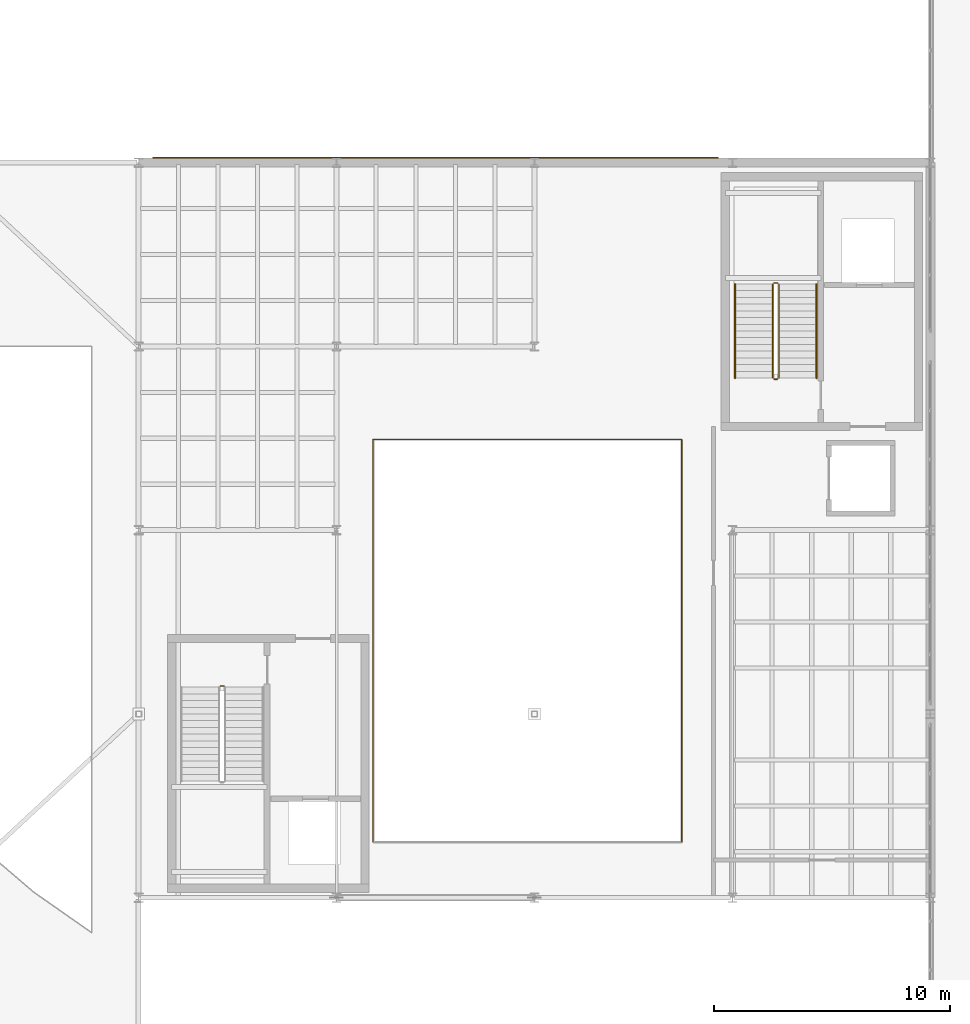
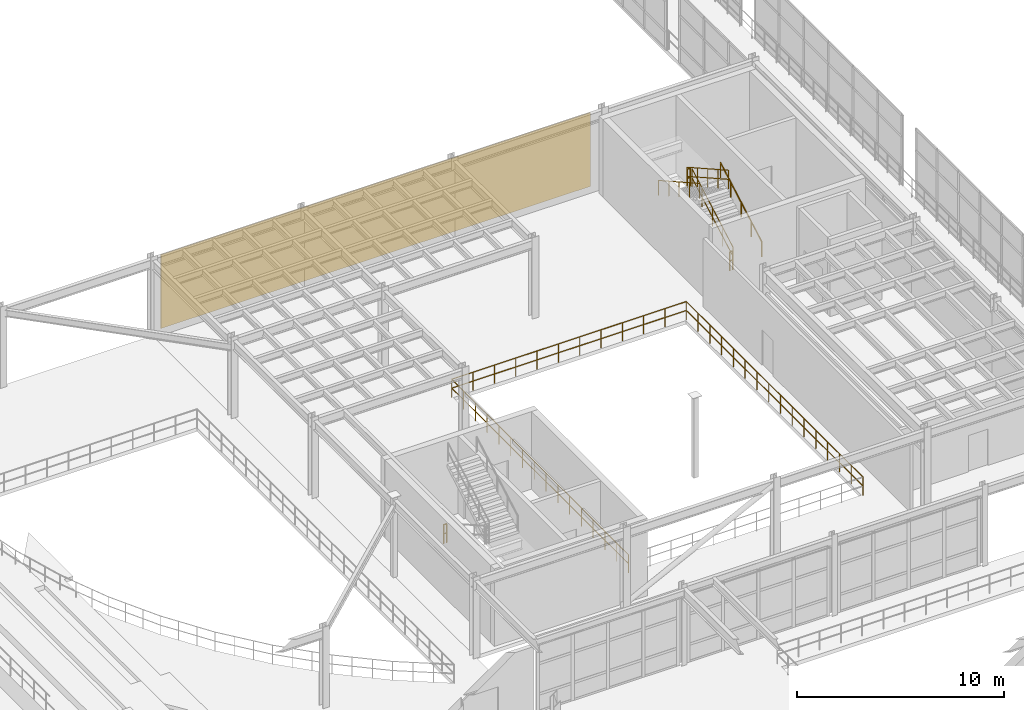
# One storey, part 111 of 116: 10 railings, 1 covering.
"""IFC4 building model written with IfcOpenShell, lengths in metres."""

import ifcopenshell
import ifcopenshell.guid

model = None  # the IFC model being written
_history = None  # IfcOwnerHistory: only IFC2X3 demands one
_inside = {}  # id of a spatial element -> (the spatial element, [elements in it])
_under = {}  # id of a project, library or spatial element -> (it, [spatial elements below it])
_declared = {}  # id of a project -> (the project, [libraries it declares])
_typed = {}  # id of a type object -> (the type object, [elements of that type])
_made_of = {}  # id of a material, layer set ... -> (it, [elements and type objects made of it])


def new_model(schema):
    """Start an empty IFC model of exactly this schema.

    Asked for "IFC4X3", IfcOpenShell would pick the latest addendum, in which some entities
    have other attributes; the version numbers below select the first issue.
    IFC2X3 requires an IfcOwnerHistory on every rooted entity: one is made here for all.
    """
    global model, _history
    if schema == "IFC4X3":
        model = ifcopenshell.file(schema_version=(4, 3, 0, 0))
    else:
        model = ifcopenshell.file(schema=schema)
    _inside.clear()
    _under.clear()
    _declared.clear()
    _typed.clear()
    _made_of.clear()
    _history = None
    if model.schema == "IFC2X3":
        org = make("IfcOrganization", Name="unknown")
        user = make(
            "IfcPersonAndOrganization",
            ThePerson=make("IfcPerson", FamilyName="unknown"),
            TheOrganization=org,
        )
        app = make(
            "IfcApplication",
            ApplicationDeveloper=org,
            Version="unknown",
            ApplicationFullName="unknown",
            ApplicationIdentifier="unknown",
        )
        _history = make(
            "IfcOwnerHistory",
            OwningUser=user,
            OwningApplication=app,
            ChangeAction="ADDED",
            CreationDate=0,
        )
    return model


def make(cls, **values):
    """One entity of the class cls with the attributes given. An attribute that is None is left unset."""
    return model.create_entity(
        cls, **{name: value for name, value in values.items() if value is not None}
    )


def rooted(cls, **values):
    """An entity with a GlobalId (a new one), such as an element, a storey or a relation."""
    return make(cls, GlobalId=ifcopenshell.guid.new(), OwnerHistory=_history, **values)


def si_unit(unit_type, name, prefix=None):
    """IfcSIUnit, for example si_unit("LENGTHUNIT", "METRE", prefix="MILLI")."""
    return make("IfcSIUnit", UnitType=unit_type, Prefix=prefix, Name=name)


def assignment(units):
    """IfcUnitAssignment: the units of a project."""
    return None if units is None else make("IfcUnitAssignment", Units=units)


def point(xyz):
    """IfcCartesianPoint."""
    return None if xyz is None else make("IfcCartesianPoint", Coordinates=xyz)


def direction(xyz):
    """IfcDirection."""
    return None if xyz is None else make("IfcDirection", DirectionRatios=xyz)


def frame(location, z_axis=None, x_axis=None):
    """IfcAxis2Placement3D, a coordinate frame: its origin and axes. An axis left out is left unset."""
    return make(
        "IfcAxis2Placement3D",
        Location=point(location),
        Axis=direction(z_axis),
        RefDirection=direction(x_axis),
    )


def frame_2d(location, x_axis=None):
    """IfcAxis2Placement2D, a coordinate frame in the plane: its origin and x axis."""
    return make(
        "IfcAxis2Placement2D", Location=point(location), RefDirection=direction(x_axis)
    )


def origin():
    """The frame at (0, 0, 0) with its axes left unset."""
    return frame((0.0, 0.0, 0.0))


def origin_2d():
    """The frame at (0, 0) in the plane with its x axis left unset."""
    return frame_2d((0.0, 0.0))


def place(relative_to, where):
    """IfcLocalPlacement: puts the frame where relative to a parent placement (None: the world)."""
    return make(
        "IfcLocalPlacement", PlacementRelTo=relative_to, RelativePlacement=where
    )


def context(
    kind, dimensions, precision=None, world=None, true_north=None, identifier=None
):
    """IfcGeometricRepresentationContext, for example the 3D "Model" context."""
    return make(
        "IfcGeometricRepresentationContext",
        ContextIdentifier=identifier,
        ContextType=kind,
        CoordinateSpaceDimension=dimensions,
        Precision=precision,
        WorldCoordinateSystem=world,
        TrueNorth=true_north,
    )


def subcontext(parent, identifier, kind, view, scale=None):
    """IfcGeometricRepresentationSubContext, for example "Body" below "Model"."""
    return make(
        "IfcGeometricRepresentationSubContext",
        ContextIdentifier=identifier,
        ContextType=kind,
        ParentContext=parent,
        TargetScale=scale,
        TargetView=view,
    )


def project(units=None, contexts=None):
    """IfcProject with its units and contexts."""
    return rooted(
        "IfcProject",
        Name="project",
        RepresentationContexts=contexts,
        UnitsInContext=assignment(units),
    )


def spatial(cls, under=None, at=None, **own):
    """A site, building, storey or space (cls), placed at a placement, below another one or the project."""
    s = rooted(cls, ObjectPlacement=at, **own)
    if under is not None:
        _under.setdefault(under.id(), (under, []))[1].append(s)
    return s


def polyline(points):
    """IfcPolyline through the points."""
    return make("IfcPolyline", Points=[point(p) for p in points])


def profile(cls, at=None, kind="AREA", **sizes):
    """A parametric profile (cls). Its sizes go by their IFC names, for example OverallWidth=200.0."""
    return make(cls, ProfileType=kind, Position=at, **sizes)


def circle(**sizes):
    """IfcCircleProfileDef."""
    return profile("IfcCircleProfileDef", **sizes)


def outline(outer, holes=None, kind="AREA"):
    """IfcArbitraryClosedProfileDef: a profile drawn as a closed curve; with holes, ...WithVoids."""
    if holes is None:
        return make("IfcArbitraryClosedProfileDef", ProfileType=kind, OuterCurve=outer)
    return make(
        "IfcArbitraryProfileDefWithVoids",
        ProfileType=kind,
        OuterCurve=outer,
        InnerCurves=holes,
    )


def extrude(swept, where, along, depth):
    """IfcExtrudedAreaSolid: the profile swept, set in the frame where, extruded along a direction by depth."""
    return make(
        "IfcExtrudedAreaSolid",
        SweptArea=swept,
        Position=where,
        ExtrudedDirection=direction(along),
        Depth=depth,
    )


def shape(context_of_items, identifier, shape_type, items):
    """IfcShapeRepresentation: the items that make up one representation, for example the "Body"."""
    return make(
        "IfcShapeRepresentation",
        ContextOfItems=context_of_items,
        RepresentationIdentifier=identifier,
        RepresentationType=shape_type,
        Items=items,
    )


def material(Name=None, Category=None):
    """IfcMaterial."""
    return make("IfcMaterial", Name=Name, Category=Category)


def layer(
    of_material, thickness, ventilated=None, Name=None, Category=None, Priority=None
):
    """IfcMaterialLayer: one layer of a wall or slab, of a material (None: an air gap)."""
    return make(
        "IfcMaterialLayer",
        Material=of_material,
        LayerThickness=thickness,
        IsVentilated=ventilated,
        Name=Name,
        Category=Category,
        Priority=Priority,
    )


def layer_set(layers, Name=None):
    """IfcMaterialLayerSet."""
    return make("IfcMaterialLayerSet", MaterialLayers=layers, LayerSetName=Name)


def made_of(thing, what):
    """Note that an element or type object is made of a material, layer set ...; save() writes the relation."""
    if what is not None:
        _made_of.setdefault(what.id(), (what, []))[1].append(thing)
    return thing


def type_object(cls, material=None, **own):
    """A type object (cls), such as IfcWallType, which elements share."""
    return made_of(rooted(cls, **own), material)


def element(
    cls,
    number,
    at=None,
    inside=None,
    cuts=None,
    type_object=None,
    material=None,
    context=None,
    identifier="Body",
    shape_type=None,
    held_by="IfcProductDefinitionShape",
    body=None,
    shapes=None,
    **own,
):
    """One element of the class cls, such as IfcWall. Its Tag is "e" and its number.

    at: its placement. inside: the storey or other place that contains it. cuts: it is an
    opening in that element (IfcRelVoidsElement). A single representation is given by context,
    identifier, shape_type and body (its items); several are given by shapes. held_by: the class
    of the entity that holds the representations. save() writes the other relations.
    """
    e = rooted(cls, Tag="e%d" % number, ObjectPlacement=at, **own)
    if body is not None:
        shapes = [shape(context, identifier, shape_type, body)]
    if shapes is not None:
        e.Representation = make(held_by, Representations=shapes)
    if inside is not None:
        _inside.setdefault(inside.id(), (inside, []))[1].append(e)
    if cuts is not None:
        rooted(
            "IfcRelVoidsElement", RelatingBuildingElement=cuts, RelatedOpeningElement=e
        )
    if type_object is not None:
        _typed.setdefault(type_object.id(), (type_object, []))[1].append(e)
    return made_of(e, material)


def aggregate(whole, parts):
    """IfcRelAggregates: a whole, such as a stair, and the parts it consists of."""
    return rooted("IfcRelAggregates", RelatingObject=whole, RelatedObjects=parts)


def save(model, path):
    """Write the relations noted so far, then the file.

    IfcRelAggregates (storeys below a building ...), IfcRelContainedInSpatialStructure (elements
    in a storey), IfcRelDefinesByType, IfcRelAssociatesMaterial and IfcRelDeclares: one each for
    every whole, place, type object, material and project.
    """
    for whole, parts in _under.values():
        aggregate(whole, parts)
    for where, things in _inside.values():
        rooted(
            "IfcRelContainedInSpatialStructure",
            RelatedElements=things,
            RelatingStructure=where,
        )
    for kind, things in _typed.values():
        rooted("IfcRelDefinesByType", RelatedObjects=things, RelatingType=kind)
    for what, things in _made_of.values():
        rooted("IfcRelAssociatesMaterial", RelatedObjects=things, RelatingMaterial=what)
    for by, libraries in _declared.values():
        rooted("IfcRelDeclares", RelatingContext=by, RelatedDefinitions=libraries)
    model.write(path)


model = new_model("IFC4")

# Units and contexts
model_context = context("Model", 3, precision=1e-05, world=origin(), true_north=direction((0.0, 1.0)))
body_context = subcontext(model_context, "Body", "Model", "MODEL_VIEW")
ifc_project = project(units=[si_unit("LENGTHUNIT", "METRE"), si_unit("AREAUNIT", "SQUARE_METRE"), si_unit("VOLUMEUNIT", "CUBIC_METRE"), si_unit("PLANEANGLEUNIT", "RADIAN"), si_unit("MASSUNIT", "GRAM", prefix="KILO")], contexts=[model_context])

# Site, building, storey
site_placement = place(None, origin())
site = spatial("IfcSite", under=ifc_project, at=site_placement, CompositionType="ELEMENT")
building_placement = place(site_placement, origin())
building = spatial("IfcBuilding", under=site, at=building_placement, Name="Selat Folded Stagehouse", CompositionType="ELEMENT")
storey_placement = place(building_placement, frame((0.0, 0.0, 5.39990234375)))
storey = spatial("IfcBuildingStorey", under=building, at=storey_placement, Name="L01", CompositionType="ELEMENT", Elevation=5.39990234375)

# Covering
ifc_material_1 = material(Name="Perforated bronze-anodised aluminium rainscreen", Category="aluminium")
ifc_layer_1 = layer(ifc_material_1, 0.044921875)
ifc_layer_set_1 = layer_set([ifc_layer_1], Name="Perforated bronze-anodised aluminium rainscreen")
covering_type = type_object("IfcCoveringType", Name="COV-CLAD-45A", PredefinedType="CLADDING", material=ifc_layer_set_1)
covering_placement = place(storey_placement, frame((0.0, 0.0, 0.10009765625)))
element("IfcCovering", 1, at=covering_placement, inside=storey, type_object=covering_type, Name="L01 fly-tower bronze rainscreen cladding 01", PredefinedType="CLADDING", context=body_context, shape_type="SweptSolid", body=[
    extrude(outline(polyline([(34.199951171875, 54.7900390625), (58.199951171875, 54.7900390625), (58.199951171875, 54.8349609375), (34.199951171875, 54.8349609375), (34.199951171875, 54.7900390625)])), origin(), (0.0, 0.0, 1.0), 4.35009765625),
])

# Railings
ifc_material_2 = material(Name="Bronze-anodised steel balustrade", Category="steel")
ifc_layer_2 = layer(ifc_material_2, 0.06494140625)
ifc_layer_set_2 = layer_set([ifc_layer_2], Name="Bronze-anodised steel balustrade")
railing_type_1 = type_object("IfcRailingType", Name="RLG-BAL-1120", PredefinedType="BALUSTRADE", material=ifc_layer_set_2)
railing_1_placement = place(storey_placement, frame((37.06005859375, 32.389892578125, 0.0)))
element("IfcRailing", 2, at=railing_1_placement, inside=storey, type_object=railing_type_1, Name="L01 ST-01 stair well guard 4", PredefinedType="BALUSTRADE", context=body_context, shape_type="SweptSolid", body=[
    extrude(circle(Radius=0.02392578125, at=origin_2d()), frame((0.0, 0.0, 1.09619140625), z_axis=(1.0, 0.0, 0.0), x_axis=(0.0, 1.0, 0.0)), (0.0, 0.0, 1.0), 0.159912109375),
    extrude(circle(Radius=0.02392578125, at=origin_2d()), frame((0.0, 0.0, 0.56005859375), z_axis=(1.0, 0.0, 0.0), x_axis=(0.0, 1.0, 0.0)), (0.0, 0.0, 1.0), 0.159912109375),
    extrude(circle(Radius=0.02099609375, at=origin_2d()), origin(), (0.0, 0.0, 1.0), 1.072021484375),
    extrude(circle(Radius=0.02099609375, at=origin_2d()), frame((0.159912109375, 0.0, 0.0)), (0.0, 0.0, 1.0), 1.072021484375),
])
railing_2_placement = place(storey_placement, frame((60.77001953125, 45.4599609375, 0.16015625)))
element("IfcRailing", 3, at=railing_2_placement, inside=storey, type_object=railing_type_1, Name="L01 ST-02 stair well guard 1", PredefinedType="BALUSTRADE", context=body_context, shape_type="SweptSolid", body=[
    extrude(circle(Radius=0.02392578125, at=origin_2d()), frame((0.0, 0.0, 1.09619140625), z_axis=(0.0, 0.871984184956, 0.489534044972), x_axis=(-1.0, 0.0, 0.0)), (0.0, 0.0, 1.0), 4.57568359375),
    extrude(circle(Radius=0.02392578125, at=origin_2d()), frame((0.0, 0.0, 0.56005859375), z_axis=(0.0, 0.871984184956, 0.489534044972), x_axis=(-1.0, 0.0, 0.0)), (0.0, 0.0, 1.0), 4.57568359375),
    extrude(circle(Radius=0.02099609375, at=origin_2d()), origin(), (0.0, 0.0, 1.0), 1.072021484375),
    extrude(circle(Radius=0.02099609375, at=origin_2d()), frame((0.0, 0.99755859375, 0.56005859375)), (0.0, 0.0, 1.0), 1.072021484375),
    extrude(circle(Radius=0.02099609375, at=origin_2d()), frame((0.0, 1.9951171875, 1.1201171875)), (0.0, 0.0, 1.0), 1.072021484375),
    extrude(circle(Radius=0.02099609375, at=origin_2d()), frame((0.0, 2.992431640625, 1.679931640625)), (0.0, 0.0, 1.0), 1.072021484375),
    extrude(circle(Radius=0.02099609375, at=origin_2d()), frame((0.0, 3.989990234375, 2.239990234375)), (0.0, 0.0, 1.0), 1.072021484375),
])
railing_3_placement = place(storey_placement, frame((60.719970703125, 49.5, 2.400146484375)))
element("IfcRailing", 4, at=railing_3_placement, inside=storey, type_object=railing_type_1, Name="L01 ST-02 stair well guard 2", PredefinedType="BALUSTRADE", context=body_context, shape_type="SweptSolid", body=[
    extrude(circle(Radius=0.02392578125, at=origin_2d()), frame((0.0, 0.0, 1.09619140625), z_axis=(-1.0, 0.0, 0.0), x_axis=(0.0, -1.0, 0.0)), (0.0, 0.0, 1.0), 0.159912109375),
    extrude(circle(Radius=0.02392578125, at=origin_2d()), frame((0.0, 0.0, 0.56005859375), z_axis=(-1.0, 0.0, 0.0), x_axis=(0.0, -1.0, 0.0)), (0.0, 0.0, 1.0), 0.159912109375),
    extrude(circle(Radius=0.02099609375, at=origin_2d()), origin(), (0.0, 0.0, 1.0), 1.072021484375),
    extrude(circle(Radius=0.02099609375, at=origin_2d()), frame((-0.159912109375, 0.0, 0.0)), (0.0, 0.0, 1.0), 1.072021484375),
])
railing_4_placement = place(storey_placement, frame((60.510009765625, 49.449951171875, 2.56005859375)))
element("IfcRailing", 5, at=railing_4_placement, inside=storey, type_object=railing_type_1, Name="L01 ST-02 stair well guard 3", PredefinedType="BALUSTRADE", context=body_context, shape_type="SweptSolid", body=[
    extrude(circle(Radius=0.02392578125, at=origin_2d()), frame((0.0, 0.0, 1.09619140625), z_axis=(0.0, -0.871984184956, 0.489534044972), x_axis=(1.0, 0.0, 0.0)), (0.0, 0.0, 1.0), 4.57568359375),
    extrude(circle(Radius=0.02392578125, at=origin_2d()), frame((0.0, 0.0, 0.56005859375), z_axis=(0.0, -0.871984184956, 0.489534044972), x_axis=(1.0, 0.0, 0.0)), (0.0, 0.0, 1.0), 4.57568359375),
    extrude(circle(Radius=0.02099609375, at=origin_2d()), origin(), (0.0, 0.0, 1.0), 1.072021484375),
    extrude(circle(Radius=0.02099609375, at=origin_2d()), frame((0.0, -0.99755859375, 0.56005859375)), (0.0, 0.0, 1.0), 1.072021484375),
    extrude(circle(Radius=0.02099609375, at=origin_2d()), frame((0.0, -1.9951171875, 1.1201171875)), (0.0, 0.0, 1.0), 1.072021484375),
    extrude(circle(Radius=0.02099609375, at=origin_2d()), frame((0.0, -2.992431640625, 1.679931640625)), (0.0, 0.0, 1.0), 1.072021484375),
    extrude(circle(Radius=0.02099609375, at=origin_2d()), frame((0.0, -3.989990234375, 2.239990234375)), (0.0, 0.0, 1.0), 1.072021484375),
])
railing_5_placement = place(storey_placement, frame((60.719970703125, 45.409912109375, 0.0)))
element("IfcRailing", 6, at=railing_5_placement, inside=storey, type_object=railing_type_1, Name="L01 ST-02 stair well guard 4", PredefinedType="BALUSTRADE", context=body_context, shape_type="SweptSolid", body=[
    extrude(circle(Radius=0.02392578125, at=origin_2d()), frame((0.0, 0.0, 1.09619140625), z_axis=(-1.0, 0.0, 0.0), x_axis=(0.0, -1.0, 0.0)), (0.0, 0.0, 1.0), 0.159912109375),
    extrude(circle(Radius=0.02392578125, at=origin_2d()), frame((0.0, 0.0, 0.56005859375), z_axis=(-1.0, 0.0, 0.0), x_axis=(0.0, -1.0, 0.0)), (0.0, 0.0, 1.0), 0.159912109375),
    extrude(circle(Radius=0.02099609375, at=origin_2d()), origin(), (0.0, 0.0, 1.0), 1.072021484375),
    extrude(circle(Radius=0.02099609375, at=origin_2d()), frame((-0.159912109375, 0.0, 0.0)), (0.0, 0.0, 1.0), 1.072021484375),
])
ifc_material_3 = material(Name="Stainless steel and laminated glass", Category="steel")
ifc_layer_3 = layer(ifc_material_3, 0.06005859375)
ifc_layer_set_3 = layer_set([ifc_layer_3], Name="Stainless steel and laminated glass")
railing_type_2 = type_object("IfcRailingType", Name="RLG-GUARD-1100", PredefinedType="GUARDRAIL", material=ifc_layer_set_3)
railing_6_placement = place(storey_placement, frame((56.64990234375, 25.75, 0.0)))
element("IfcRailing", 7, at=railing_6_placement, inside=storey, type_object=railing_type_2, Name="L01 protective guard railing 055", PredefinedType="GUARDRAIL", context=body_context, shape_type="SweptSolid", body=[
    extrude(circle(Radius=0.02392578125, at=origin_2d()), frame((0.0, 0.0, 1.076171875), z_axis=(0.0, 1.0, 0.0), x_axis=(-1.0, 0.0, 0.0)), (0.0, 0.0, 1.0), 17.10009765625),
    extrude(circle(Radius=0.02392578125, at=origin_2d()), frame((0.0, 0.0, 0.550048828125), z_axis=(0.0, 1.0, 0.0), x_axis=(-1.0, 0.0, 0.0)), (0.0, 0.0, 1.0), 17.10009765625),
    extrude(circle(Radius=0.02099609375, at=origin_2d()), origin(), (0.0, 0.0, 1.0), 1.052001953125),
    extrude(circle(Radius=0.02099609375, at=origin_2d()), frame((0.0, 1.139892578125, 0.0)), (0.0, 0.0, 1.0), 1.052001953125),
    extrude(circle(Radius=0.02099609375, at=origin_2d()), frame((0.0, 2.280029296875, 0.0)), (0.0, 0.0, 1.0), 1.052001953125),
    extrude(circle(Radius=0.02099609375, at=origin_2d()), frame((0.0, 3.419921875, 0.0)), (0.0, 0.0, 1.0), 1.052001953125),
    extrude(circle(Radius=0.02099609375, at=origin_2d()), frame((0.0, 4.56005859375, 0.0)), (0.0, 0.0, 1.0), 1.052001953125),
    extrude(circle(Radius=0.02099609375, at=origin_2d()), frame((0.0, 5.699951171875, 0.0)), (0.0, 0.0, 1.0), 1.052001953125),
    extrude(circle(Radius=0.02099609375, at=origin_2d()), frame((0.0, 6.840087890625, 0.0)), (0.0, 0.0, 1.0), 1.052001953125),
    extrude(circle(Radius=0.02099609375, at=origin_2d()), frame((0.0, 7.97998046875, 0.0)), (0.0, 0.0, 1.0), 1.052001953125),
    extrude(circle(Radius=0.02099609375, at=origin_2d()), frame((0.0, 9.1201171875, 0.0)), (0.0, 0.0, 1.0), 1.052001953125),
    extrude(circle(Radius=0.02099609375, at=origin_2d()), frame((0.0, 10.260009765625, 0.0)), (0.0, 0.0, 1.0), 1.052001953125),
    extrude(circle(Radius=0.02099609375, at=origin_2d()), frame((0.0, 11.400146484375, 0.0)), (0.0, 0.0, 1.0), 1.052001953125),
    extrude(circle(Radius=0.02099609375, at=origin_2d()), frame((0.0, 12.5400390625, 0.0)), (0.0, 0.0, 1.0), 1.052001953125),
    extrude(circle(Radius=0.02099609375, at=origin_2d()), frame((0.0, 13.68017578125, 0.0)), (0.0, 0.0, 1.0), 1.052001953125),
    extrude(circle(Radius=0.02099609375, at=origin_2d()), frame((0.0, 14.820068359375, 0.0)), (0.0, 0.0, 1.0), 1.052001953125),
    extrude(circle(Radius=0.02099609375, at=origin_2d()), frame((0.0, 15.960205078125, 0.0)), (0.0, 0.0, 1.0), 1.052001953125),
    extrude(circle(Radius=0.02099609375, at=origin_2d()), frame((0.0, 17.10009765625, 0.0)), (0.0, 0.0, 1.0), 1.052001953125),
])
railing_7_placement = place(storey_placement, frame((56.64990234375, 42.85009765625, 0.0)))
element("IfcRailing", 8, at=railing_7_placement, inside=storey, type_object=railing_type_2, Name="L01 protective guard railing 056", PredefinedType="GUARDRAIL", context=body_context, shape_type="SweptSolid", body=[
    extrude(circle(Radius=0.02392578125, at=origin_2d()), frame((0.0, 0.0, 1.076171875), z_axis=(-1.0, 0.0, 0.0), x_axis=(0.0, -1.0, 0.0)), (0.0, 0.0, 1.0), 13.099853515625),
    extrude(circle(Radius=0.02392578125, at=origin_2d()), frame((0.0, 0.0, 0.550048828125), z_axis=(-1.0, 0.0, 0.0), x_axis=(0.0, -1.0, 0.0)), (0.0, 0.0, 1.0), 13.099853515625),
    extrude(circle(Radius=0.02099609375, at=origin_2d()), origin(), (0.0, 0.0, 1.0), 1.052001953125),
    extrude(circle(Radius=0.02099609375, at=origin_2d()), frame((-1.19091796875, 0.0, 0.0)), (0.0, 0.0, 1.0), 1.052001953125),
    extrude(circle(Radius=0.02099609375, at=origin_2d()), frame((-2.3818359375, 0.0, 0.0)), (0.0, 0.0, 1.0), 1.052001953125),
    extrude(circle(Radius=0.02099609375, at=origin_2d()), frame((-3.57275390625, 0.0, 0.0)), (0.0, 0.0, 1.0), 1.052001953125),
    extrude(circle(Radius=0.02099609375, at=origin_2d()), frame((-4.763671875, 0.0, 0.0)), (0.0, 0.0, 1.0), 1.052001953125),
    extrude(circle(Radius=0.02099609375, at=origin_2d()), frame((-5.95458984375, 0.0, 0.0)), (0.0, 0.0, 1.0), 1.052001953125),
    extrude(circle(Radius=0.02099609375, at=origin_2d()), frame((-7.145263671875, 0.0, 0.0)), (0.0, 0.0, 1.0), 1.052001953125),
    extrude(circle(Radius=0.02099609375, at=origin_2d()), frame((-8.336181640625, 0.0, 0.0)), (0.0, 0.0, 1.0), 1.052001953125),
    extrude(circle(Radius=0.02099609375, at=origin_2d()), frame((-9.527099609375, 0.0, 0.0)), (0.0, 0.0, 1.0), 1.052001953125),
    extrude(circle(Radius=0.02099609375, at=origin_2d()), frame((-10.718017578125, 0.0, 0.0)), (0.0, 0.0, 1.0), 1.052001953125),
    extrude(circle(Radius=0.02099609375, at=origin_2d()), frame((-11.908935546875, 0.0, 0.0)), (0.0, 0.0, 1.0), 1.052001953125),
    extrude(circle(Radius=0.02099609375, at=origin_2d()), frame((-13.099853515625, 0.0, 0.0)), (0.0, 0.0, 1.0), 1.052001953125),
])
railing_8_placement = place(storey_placement, frame((43.550048828125, 42.85009765625, 0.0)))
element("IfcRailing", 9, at=railing_8_placement, inside=storey, type_object=railing_type_2, Name="L01 protective guard railing 057", PredefinedType="GUARDRAIL", context=body_context, shape_type="SweptSolid", body=[
    extrude(circle(Radius=0.02392578125, at=origin_2d()), frame((0.0, 0.0, 1.076171875), z_axis=(0.0, -1.0, 0.0), x_axis=(1.0, 0.0, 0.0)), (0.0, 0.0, 1.0), 17.10009765625),
    extrude(circle(Radius=0.02392578125, at=origin_2d()), frame((0.0, 0.0, 0.550048828125), z_axis=(0.0, -1.0, 0.0), x_axis=(1.0, 0.0, 0.0)), (0.0, 0.0, 1.0), 17.10009765625),
    extrude(circle(Radius=0.02099609375, at=origin_2d()), origin(), (0.0, 0.0, 1.0), 1.052001953125),
    extrude(circle(Radius=0.02099609375, at=origin_2d()), frame((0.0, -1.139892578125, 0.0)), (0.0, 0.0, 1.0), 1.052001953125),
    extrude(circle(Radius=0.02099609375, at=origin_2d()), frame((0.0, -2.280029296875, 0.0)), (0.0, 0.0, 1.0), 1.052001953125),
    extrude(circle(Radius=0.02099609375, at=origin_2d()), frame((0.0, -3.419921875, 0.0)), (0.0, 0.0, 1.0), 1.052001953125),
    extrude(circle(Radius=0.02099609375, at=origin_2d()), frame((0.0, -4.56005859375, 0.0)), (0.0, 0.0, 1.0), 1.052001953125),
    extrude(circle(Radius=0.02099609375, at=origin_2d()), frame((0.0, -5.699951171875, 0.0)), (0.0, 0.0, 1.0), 1.052001953125),
    extrude(circle(Radius=0.02099609375, at=origin_2d()), frame((0.0, -6.840087890625, 0.0)), (0.0, 0.0, 1.0), 1.052001953125),
    extrude(circle(Radius=0.02099609375, at=origin_2d()), frame((0.0, -7.97998046875, 0.0)), (0.0, 0.0, 1.0), 1.052001953125),
    extrude(circle(Radius=0.02099609375, at=origin_2d()), frame((0.0, -9.1201171875, 0.0)), (0.0, 0.0, 1.0), 1.052001953125),
    extrude(circle(Radius=0.02099609375, at=origin_2d()), frame((0.0, -10.260009765625, 0.0)), (0.0, 0.0, 1.0), 1.052001953125),
    extrude(circle(Radius=0.02099609375, at=origin_2d()), frame((0.0, -11.400146484375, 0.0)), (0.0, 0.0, 1.0), 1.052001953125),
    extrude(circle(Radius=0.02099609375, at=origin_2d()), frame((0.0, -12.5400390625, 0.0)), (0.0, 0.0, 1.0), 1.052001953125),
    extrude(circle(Radius=0.02099609375, at=origin_2d()), frame((0.0, -13.68017578125, 0.0)), (0.0, 0.0, 1.0), 1.052001953125),
    extrude(circle(Radius=0.02099609375, at=origin_2d()), frame((0.0, -14.820068359375, 0.0)), (0.0, 0.0, 1.0), 1.052001953125),
    extrude(circle(Radius=0.02099609375, at=origin_2d()), frame((0.0, -15.960205078125, 0.0)), (0.0, 0.0, 1.0), 1.052001953125),
    extrude(circle(Radius=0.02099609375, at=origin_2d()), frame((0.0, -17.10009765625, 0.0)), (0.0, 0.0, 1.0), 1.052001953125),
])
ifc_material_4 = material(Name="Brushed stainless steel 1.4301", Category="steel")
ifc_layer_4 = layer(ifc_material_4, 0.048095703125)
ifc_layer_set_4 = layer_set([ifc_layer_4], Name="Brushed stainless steel 1.4301")
railing_type_3 = type_object("IfcRailingType", Name="RLG-HANDRAIL-900", PredefinedType="HANDRAIL", material=ifc_layer_set_4)
railing_9_placement = place(storey_placement, frame((62.3701171875, 45.4599609375, 0.16015625)))
element("IfcRailing", 10, at=railing_9_placement, inside=storey, type_object=railing_type_3, Name="L01 ST-02 wall handrail 1", PredefinedType="HANDRAIL", context=body_context, shape_type="SweptSolid", body=[
    extrude(circle(Radius=0.02392578125, at=origin_2d()), frame((0.0, 0.0, 0.8759765625), z_axis=(0.0, 0.871984184956, 0.489534044972), x_axis=(-1.0, 0.0, 0.0)), (0.0, 0.0, 1.0), 4.57568359375),
    extrude(circle(Radius=0.02099609375, at=origin_2d()), origin(), (0.0, 0.0, 1.0), 0.851806640625),
    extrude(circle(Radius=0.02099609375, at=origin_2d()), frame((0.0, 0.99755859375, 0.56005859375)), (0.0, 0.0, 1.0), 0.851806640625),
    extrude(circle(Radius=0.02099609375, at=origin_2d()), frame((0.0, 1.9951171875, 1.1201171875)), (0.0, 0.0, 1.0), 0.851806640625),
    extrude(circle(Radius=0.02099609375, at=origin_2d()), frame((0.0, 2.992431640625, 1.679931640625)), (0.0, 0.0, 1.0), 0.851806640625),
    extrude(circle(Radius=0.02099609375, at=origin_2d()), frame((0.0, 3.989990234375, 2.239990234375)), (0.0, 0.0, 1.0), 0.851806640625),
])
railing_10_placement = place(storey_placement, frame((58.909912109375, 49.449951171875, 2.56005859375)))
element("IfcRailing", 11, at=railing_10_placement, inside=storey, type_object=railing_type_3, Name="L01 ST-02 wall handrail 2", PredefinedType="HANDRAIL", context=body_context, shape_type="SweptSolid", body=[
    extrude(circle(Radius=0.02392578125, at=origin_2d()), frame((0.0, 0.0, 0.8759765625), z_axis=(0.0, -0.871984184956, 0.489534044972), x_axis=(1.0, 0.0, 0.0)), (0.0, 0.0, 1.0), 4.57568359375),
    extrude(circle(Radius=0.02099609375, at=origin_2d()), origin(), (0.0, 0.0, 1.0), 0.851806640625),
    extrude(circle(Radius=0.02099609375, at=origin_2d()), frame((0.0, -0.99755859375, 0.56005859375)), (0.0, 0.0, 1.0), 0.851806640625),
    extrude(circle(Radius=0.02099609375, at=origin_2d()), frame((0.0, -1.9951171875, 1.1201171875)), (0.0, 0.0, 1.0), 0.851806640625),
    extrude(circle(Radius=0.02099609375, at=origin_2d()), frame((0.0, -2.992431640625, 1.679931640625)), (0.0, 0.0, 1.0), 0.851806640625),
    extrude(circle(Radius=0.02099609375, at=origin_2d()), frame((0.0, -3.989990234375, 2.239990234375)), (0.0, 0.0, 1.0), 0.851806640625),
])

save(model, "model.ifc")
